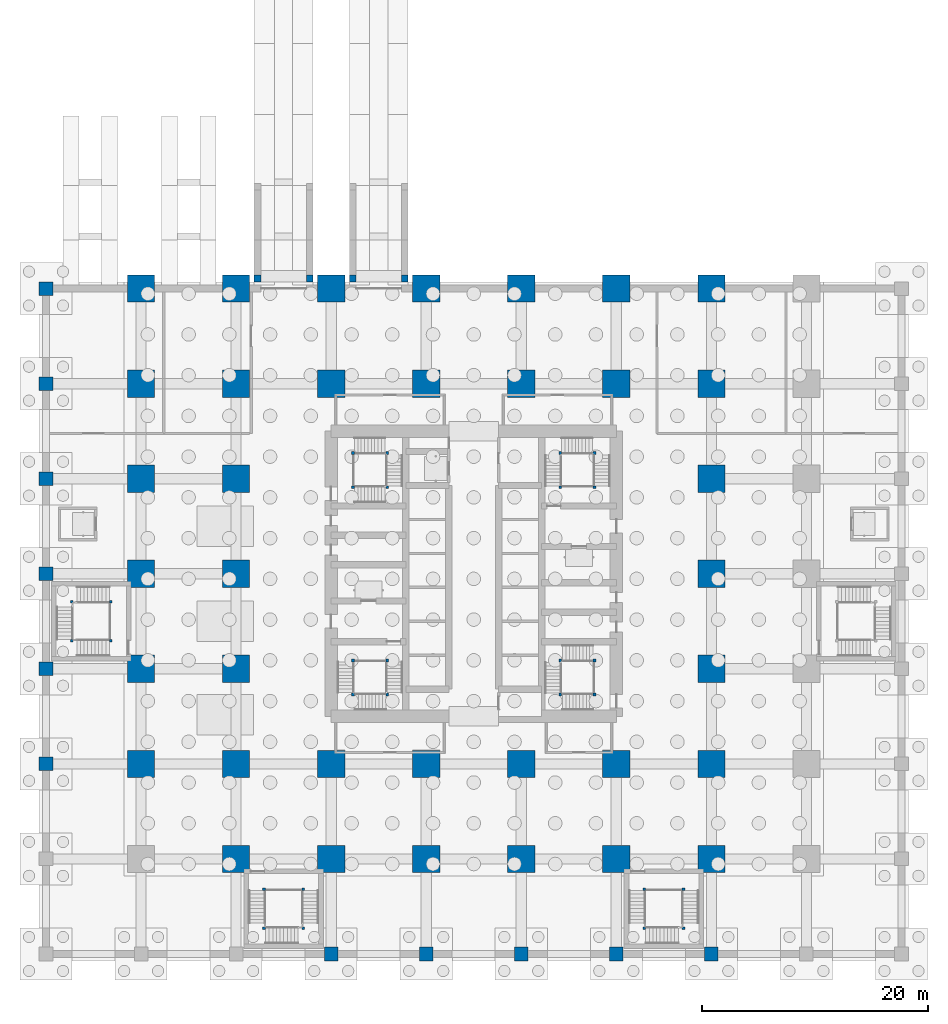
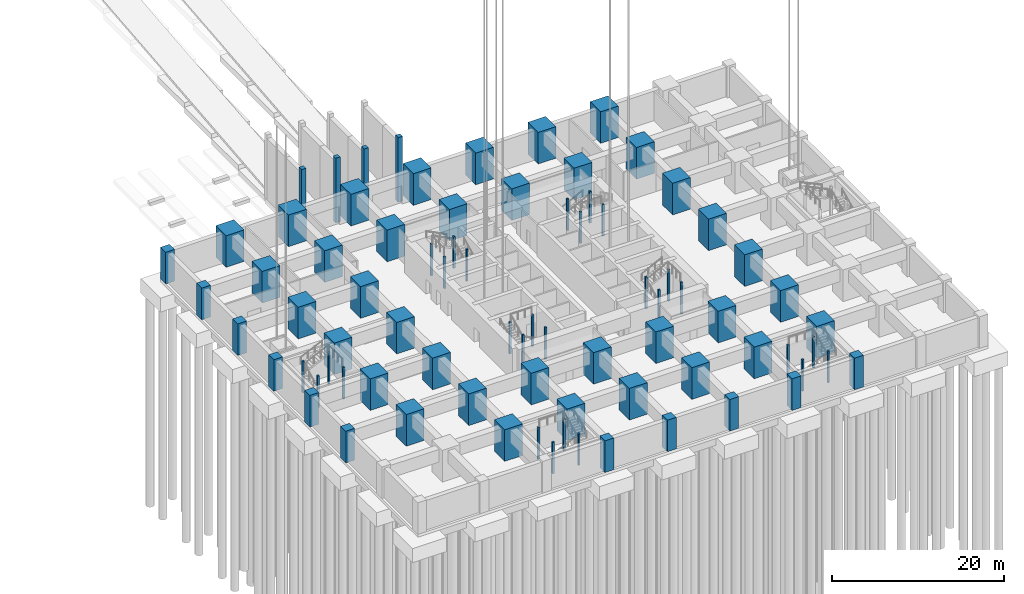
# One storey, part 4 of 28: 79 columns.
"""IFC4 building model written with IfcOpenShell, lengths in metres."""

from ifc_helpers import new_model, si_unit, direction, frame, origin, origin_2d, place, context, subcontext, project, spatial, rectangle, extrude, material, material_profile, profile_set, type_object, element, save


model = new_model("IFC4")

# Units and contexts
model_context = context("Model", 3, precision=1e-05, world=origin(), true_north=direction((0.0, 1.0)))
body_context = subcontext(model_context, "Body", "Model", "MODEL_VIEW")
ifc_project = project(units=[si_unit("LENGTHUNIT", "METRE"), si_unit("AREAUNIT", "SQUARE_METRE"), si_unit("VOLUMEUNIT", "CUBIC_METRE"), si_unit("PLANEANGLEUNIT", "RADIAN"), si_unit("MASSUNIT", "GRAM", prefix="KILO")], contexts=[model_context])

# Site, building, storey
site_placement = place(None, origin())
site = spatial("IfcSite", under=ifc_project, at=site_placement, CompositionType="ELEMENT")
building_placement = place(site_placement, origin())
building = spatial("IfcBuilding", under=site, at=building_placement, Name="Rekha Terrace Tower", CompositionType="ELEMENT")
storey_placement = place(building_placement, frame((0.0, 0.0, -9.89990234375)))
storey = spatial("IfcBuildingStorey", under=building, at=storey_placement, Name="B-02", CompositionType="ELEMENT", Elevation=-9.89990234375)

# Columns
ifc_material_1 = material(Name="Concrete M70", Category="concrete")
ifc_material_profile_1 = material_profile(ifc_material_1, rectangle(XDim=2.39990234375, YDim=2.39990234375, at=origin_2d()), Name="RC 2400x2400")
ifc_profile_set_1 = profile_set([ifc_material_profile_1], Name="Concrete M70")
column_type_1 = type_object("IfcColumnType", Name="C1 2400x2400 column", PredefinedType="COLUMN", material=ifc_profile_set_1)
for number, where, z_axis, x_axis, name in (
    (1, (8.39990234375, 16.800048828125, 0.0), (0.0, 0.0, 1.0), (1.0, 0.0, 0.0), "Column C1 2/C B-02"),
    (2, (8.39990234375, 25.199951171875, 0.0), (0.0, 0.0, 1.0), (1.0, 0.0, 0.0), "Column C1 2/D B-02"),
    (3, (8.39990234375, 33.60009765625, 0.0), (0.0, 0.0, 1.0), (1.0, 0.0, 0.0), "Column C1 2/E B-02"),
    (4, (8.39990234375, 42.0, 0.0), (0.0, 0.0, 1.0), (1.0, 0.0, 0.0), "Column C1 2/F B-02"),
    (5, (8.39990234375, 50.39990234375, 0.0), (0.0, 0.0, 1.0), (1.0, 0.0, 0.0), "Column C1 2/G B-02"),
    (6, (8.39990234375, 58.800048828125, 0.0), (0.0, 0.0, 1.0), (1.0, 0.0, 0.0), "Column C1 2/H B-02"),
    (7, (16.800048828125, 8.39990234375, 0.0), (0.0, 0.0, 1.0), (1.0, 0.0, 0.0), "Column C1 3/B B-02"),
    (8, (16.800048828125, 16.800048828125, 0.0), (0.0, 0.0, 1.0), (1.0, 0.0, 0.0), "Column C1 3/C B-02"),
    (9, (16.800048828125, 25.199951171875, 0.0), (0.0, 0.0, 1.0), (1.0, 0.0, 0.0), "Column C1 3/D B-02"),
    (10, (16.800048828125, 33.60009765625, 0.0), (0.0, 0.0, 1.0), (1.0, 0.0, 0.0), "Column C1 3/E B-02"),
    (11, (16.800048828125, 42.0, 0.0), (0.0, 0.0, 1.0), (1.0, 0.0, 0.0), "Column C1 3/F B-02"),
    (12, (16.800048828125, 50.39990234375, 0.0), (0.0, 0.0, 1.0), (1.0, 0.0, 0.0), "Column C1 3/G B-02"),
    (13, (16.800048828125, 58.800048828125, 0.0), (0.0, 0.0, 1.0), (1.0, 0.0, 0.0), "Column C1 3/H B-02"),
    (14, (25.199951171875, 8.39990234375, 0.0), (0.0, 0.0, 1.0), (1.0, 0.0, 0.0), "Column C1 4/B B-02"),
    (15, (25.199951171875, 16.800048828125, 0.0), (0.0, 0.0, 1.0), (1.0, 0.0, 0.0), "Column C1 4/C B-02"),
    (16, (25.199951171875, 50.39990234375, 0.0), (0.0, 0.0, 1.0), (1.0, 0.0, 0.0), "Column C1 4/G B-02"),
    (17, (25.199951171875, 58.800048828125, 0.0), (0.0, 0.0, 1.0), (1.0, 0.0, 0.0), "Column C1 4/H B-02"),
    (18, (33.60009765625, 8.39990234375, 0.0), (0.0, 0.0, 1.0), (1.0, 0.0, 0.0), "Column C1 5/B B-02"),
    (19, (33.60009765625, 16.800048828125, 0.0), (0.0, 0.0, 1.0), (1.0, 0.0, 0.0), "Column C1 5/C B-02"),
    (20, (33.60009765625, 50.39990234375, 0.0), (0.0, 0.0, 1.0), (1.0, 0.0, 0.0), "Column C1 5/G B-02"),
    (21, (33.60009765625, 58.800048828125, 0.0), (0.0, 0.0, 1.0), (1.0, 0.0, 0.0), "Column C1 5/H B-02"),
    (22, (42.0, 8.39990234375, 0.0), (0.0, 0.0, 1.0), (1.0, 0.0, 0.0), "Column C1 6/B B-02"),
    (23, (42.0, 16.800048828125, 0.0), (0.0, 0.0, 1.0), (1.0, 0.0, 0.0), "Column C1 6/C B-02"),
    (24, (42.0, 50.39990234375, 0.0), (0.0, 0.0, 1.0), (1.0, 0.0, 0.0), "Column C1 6/G B-02"),
    (25, (42.0, 58.800048828125, 0.0), (0.0, 0.0, 1.0), (1.0, 0.0, 0.0), "Column C1 6/H B-02"),
    (26, (50.39990234375, 8.39990234375, 0.0), (0.0, 0.0, 1.0), (1.0, 0.0, 0.0), "Column C1 7/B B-02"),
    (27, (50.39990234375, 16.800048828125, 0.0), (0.0, 0.0, 1.0), (1.0, 0.0, 0.0), "Column C1 7/C B-02"),
    (28, (50.39990234375, 50.39990234375, 0.0), (0.0, 0.0, 1.0), (1.0, 0.0, 0.0), "Column C1 7/G B-02"),
    (29, (50.39990234375, 58.800048828125, 0.0), (0.0, 0.0, 1.0), (1.0, 0.0, 0.0), "Column C1 7/H B-02"),
    (30, (58.800048828125, 8.39990234375, 0.0), (0.0, 0.0, 1.0), (1.0, 0.0, 0.0), "Column C1 8/B B-02"),
    (31, (58.800048828125, 16.800048828125, 0.0), (0.0, 0.0, 1.0), (1.0, 0.0, 0.0), "Column C1 8/C B-02"),
    (32, (58.800048828125, 25.199951171875, 0.0), (0.0, 0.0, 1.0), (1.0, 0.0, 0.0), "Column C1 8/D B-02"),
    (33, (58.800048828125, 33.60009765625, 0.0), (0.0, 0.0, 1.0), (1.0, 0.0, 0.0), "Column C1 8/E B-02"),
    (34, (58.800048828125, 42.0, 0.0), (0.0, 0.0, 1.0), (1.0, 0.0, 0.0), "Column C1 8/F B-02"),
    (35, (58.800048828125, 50.39990234375, 0.0), (0.0, 0.0, 1.0), (1.0, 0.0, 0.0), "Column C1 8/G B-02"),
    (36, (58.800048828125, 58.800048828125, 0.0), (0.0, 0.0, 1.0), (1.0, 0.0, 0.0), "Column C1 8/H B-02"),
):
    element("IfcColumn", number, at=place(storey_placement, frame(where, z_axis=z_axis, x_axis=x_axis)), inside=storey, type_object=column_type_1, Name=name, PredefinedType="COLUMN", context=body_context, shape_type="SweptSolid", body=[
        extrude(rectangle(XDim=2.39990234375, YDim=2.39990234375, at=origin_2d()), origin(), (0.0, 0.0, 1.0), 4.5),
    ])
ifc_material_2 = material(Name="Concrete M60", Category="concrete")
ifc_material_profile_2 = material_profile(ifc_material_2, rectangle(XDim=1.199951171875, YDim=1.199951171875, at=origin_2d()), Name="RC 1200x1200")
ifc_profile_set_2 = profile_set([ifc_material_profile_2], Name="Concrete M60")
column_type_2 = type_object("IfcColumnType", Name="C6 1200x1200 podium column", PredefinedType="COLUMN", material=ifc_profile_set_2)
for number, where, z_axis, x_axis, name in (
    (37, (0.0, 16.800048828125, 0.0), (0.0, 0.0, 1.0), (1.0, 0.0, 0.0), "Column C6 1/C B-02"),
    (38, (0.0, 25.199951171875, 0.0), (0.0, 0.0, 1.0), (1.0, 0.0, 0.0), "Column C6 1/D B-02"),
    (39, (0.0, 33.60009765625, 0.0), (0.0, 0.0, 1.0), (1.0, 0.0, 0.0), "Column C6 1/E B-02"),
    (40, (0.0, 42.0, 0.0), (0.0, 0.0, 1.0), (1.0, 0.0, 0.0), "Column C6 1/F B-02"),
    (41, (0.0, 50.39990234375, 0.0), (0.0, 0.0, 1.0), (1.0, 0.0, 0.0), "Column C6 1/G B-02"),
    (42, (0.0, 58.800048828125, 0.0), (0.0, 0.0, 1.0), (1.0, 0.0, 0.0), "Column C6 1/H B-02"),
    (43, (25.199951171875, 0.0, 0.0), (0.0, 0.0, 1.0), (1.0, 0.0, 0.0), "Column C6 4/A B-02"),
    (44, (33.60009765625, 0.0, 0.0), (0.0, 0.0, 1.0), (1.0, 0.0, 0.0), "Column C6 5/A B-02"),
    (45, (42.0, 0.0, 0.0), (0.0, 0.0, 1.0), (1.0, 0.0, 0.0), "Column C6 6/A B-02"),
    (46, (50.39990234375, 0.0, 0.0), (0.0, 0.0, 1.0), (1.0, 0.0, 0.0), "Column C6 7/A B-02"),
    (47, (58.800048828125, 0.0, 0.0), (0.0, 0.0, 1.0), (1.0, 0.0, 0.0), "Column C6 8/A B-02"),
):
    element("IfcColumn", number, at=place(storey_placement, frame(where, z_axis=z_axis, x_axis=x_axis)), inside=storey, type_object=column_type_2, Name=name, PredefinedType="COLUMN", context=body_context, shape_type="SweptSolid", body=[
        extrude(rectangle(XDim=1.199951171875, YDim=1.199951171875, at=origin_2d()), origin(), (0.0, 0.0, 1.0), 4.5),
    ])
ifc_material_3 = material(Name="Concrete M40", Category="concrete")
ifc_material_profile_3 = material_profile(ifc_material_3, rectangle(XDim=0.60009765625, YDim=0.60009765625, at=origin_2d()), Name="RC 600x600")
ifc_profile_set_3 = profile_set([ifc_material_profile_3], Name="Concrete M40")
column_type_3 = type_object("IfcColumnType", Name="DP1 600x600 bridge pier", PredefinedType="COLUMN", material=ifc_profile_set_3)
for number, where, z_axis, x_axis, name in (
    (48, (18.699951171875, 59.699951171875, -0.300048828125), (0.0, 0.0, 1.0), (1.0, 0.0, 0.0), "Ramp 3 bridge pier W1"),
    (49, (23.300048828125, 59.699951171875, -0.300048828125), (0.0, 0.0, 1.0), (1.0, 0.0, 0.0), "Ramp 3 bridge pier E1"),
    (50, (27.10009765625, 59.699951171875, -0.300048828125), (0.0, 0.0, 1.0), (1.0, 0.0, 0.0), "Ramp 4 bridge pier W1"),
    (51, (31.699951171875, 59.699951171875, -0.300048828125), (0.0, 0.0, 1.0), (1.0, 0.0, 0.0), "Ramp 4 bridge pier E1"),
):
    element("IfcColumn", number, at=place(storey_placement, frame(where, z_axis=z_axis, x_axis=x_axis)), inside=storey, type_object=column_type_3, Name=name, PredefinedType="COLUMN", context=body_context, shape_type="SweptSolid", body=[
        extrude(rectangle(XDim=0.60009765625, YDim=0.60009765625, at=origin_2d()), origin(), (0.0, 0.0, 1.0), 9.199951171875),
    ])
ifc_material_profile_4 = material_profile(ifc_material_2, rectangle(XDim=0.25, YDim=0.25, at=origin_2d()), Name="RC 250x250")
ifc_profile_set_4 = profile_set([ifc_material_profile_4], Name="Concrete M60")
column_type_4 = type_object("IfcColumnType", Name="NP1 250x250 stair newel post", PredefinedType="COLUMN", material=ifc_profile_set_4)
for number, where, z_axis, x_axis, name in (
    (52, (5.72509765625, 27.675048828125, 0.0), (0.0, 0.0, 1.0), (1.0, 0.0, 0.0), "Stair newel post NP1"),
    (53, (2.27490234375, 27.675048828125, 0.0), (0.0, 0.0, 1.0), (1.0, 0.0, 0.0), "Stair newel post NP1"),
    (54, (2.27490234375, 31.125, 0.0), (0.0, 0.0, 1.0), (1.0, 0.0, 0.0), "Stair newel post NP1"),
    (55, (5.72509765625, 31.125, 0.0), (0.0, 0.0, 1.0), (1.0, 0.0, 0.0), "Stair newel post NP1"),
    (56, (19.27490234375, 5.72509765625, 0.0), (0.0, 0.0, 1.0), (1.0, 0.0, 0.0), "Stair newel post NP1"),
    (57, (19.27490234375, 2.27490234375, 0.0), (0.0, 0.0, 1.0), (1.0, 0.0, 0.0), "Stair newel post NP1"),
    (58, (22.72509765625, 2.27490234375, 0.0), (0.0, 0.0, 1.0), (1.0, 0.0, 0.0), "Stair newel post NP1"),
    (59, (22.72509765625, 5.72509765625, 0.0), (0.0, 0.0, 1.0), (1.0, 0.0, 0.0), "Stair newel post NP1"),
    (60, (52.875, 5.72509765625, 0.0), (0.0, 0.0, 1.0), (1.0, 0.0, 0.0), "Stair newel post NP1"),
    (61, (52.875, 2.27490234375, 0.0), (0.0, 0.0, 1.0), (1.0, 0.0, 0.0), "Stair newel post NP1"),
    (62, (56.324951171875, 2.27490234375, 0.0), (0.0, 0.0, 1.0), (1.0, 0.0, 0.0), "Stair newel post NP1"),
    (63, (56.324951171875, 5.72509765625, 0.0), (0.0, 0.0, 1.0), (1.0, 0.0, 0.0), "Stair newel post NP1"),
    (64, (30.14990234375, 25.949951171875, 0.0), (0.0, 0.0, 1.0), (1.0, 0.0, 0.0), "Stair newel post NP1"),
    (65, (30.14990234375, 22.925048828125, 0.0), (0.0, 0.0, 1.0), (1.0, 0.0, 0.0), "Stair newel post NP1"),
    (66, (27.125, 22.925048828125, 0.0), (0.0, 0.0, 1.0), (1.0, 0.0, 0.0), "Stair newel post NP1"),
    (67, (27.125, 25.949951171875, 0.0), (0.0, 0.0, 1.0), (1.0, 0.0, 0.0), "Stair newel post NP1"),
    (68, (45.449951171875, 41.25, 0.0), (0.0, 0.0, 1.0), (1.0, 0.0, 0.0), "Stair newel post NP1"),
    (69, (45.449951171875, 44.27490234375, 0.0), (0.0, 0.0, 1.0), (1.0, 0.0, 0.0), "Stair newel post NP1"),
    (70, (48.47509765625, 44.27490234375, 0.0), (0.0, 0.0, 1.0), (1.0, 0.0, 0.0), "Stair newel post NP1"),
    (71, (48.47509765625, 41.25, 0.0), (0.0, 0.0, 1.0), (1.0, 0.0, 0.0), "Stair newel post NP1"),
    (72, (48.47509765625, 22.925048828125, 0.0), (0.0, 0.0, 1.0), (1.0, 0.0, 0.0), "Stair newel post NP1"),
    (73, (45.449951171875, 22.925048828125, 0.0), (0.0, 0.0, 1.0), (1.0, 0.0, 0.0), "Stair newel post NP1"),
    (74, (45.449951171875, 25.949951171875, 0.0), (0.0, 0.0, 1.0), (1.0, 0.0, 0.0), "Stair newel post NP1"),
    (75, (48.47509765625, 25.949951171875, 0.0), (0.0, 0.0, 1.0), (1.0, 0.0, 0.0), "Stair newel post NP1"),
    (76, (27.125, 41.25, 0.0), (0.0, 0.0, 1.0), (1.0, 0.0, 0.0), "Stair newel post NP1"),
    (77, (30.14990234375, 41.25, 0.0), (0.0, 0.0, 1.0), (1.0, 0.0, 0.0), "Stair newel post NP1"),
    (78, (30.14990234375, 44.27490234375, 0.0), (0.0, 0.0, 1.0), (1.0, 0.0, 0.0), "Stair newel post NP1"),
    (79, (27.125, 44.27490234375, 0.0), (0.0, 0.0, 1.0), (1.0, 0.0, 0.0), "Stair newel post NP1"),
):
    element("IfcColumn", number, at=place(storey_placement, frame(where, z_axis=z_axis, x_axis=x_axis)), inside=storey, type_object=column_type_4, Name=name, PredefinedType="COLUMN", context=body_context, shape_type="SweptSolid", body=[
        extrude(rectangle(XDim=0.25, YDim=0.25, at=origin_2d()), origin(), (0.0, 0.0, 1.0), 4.5),
    ])

save(model, "model.ifc")
